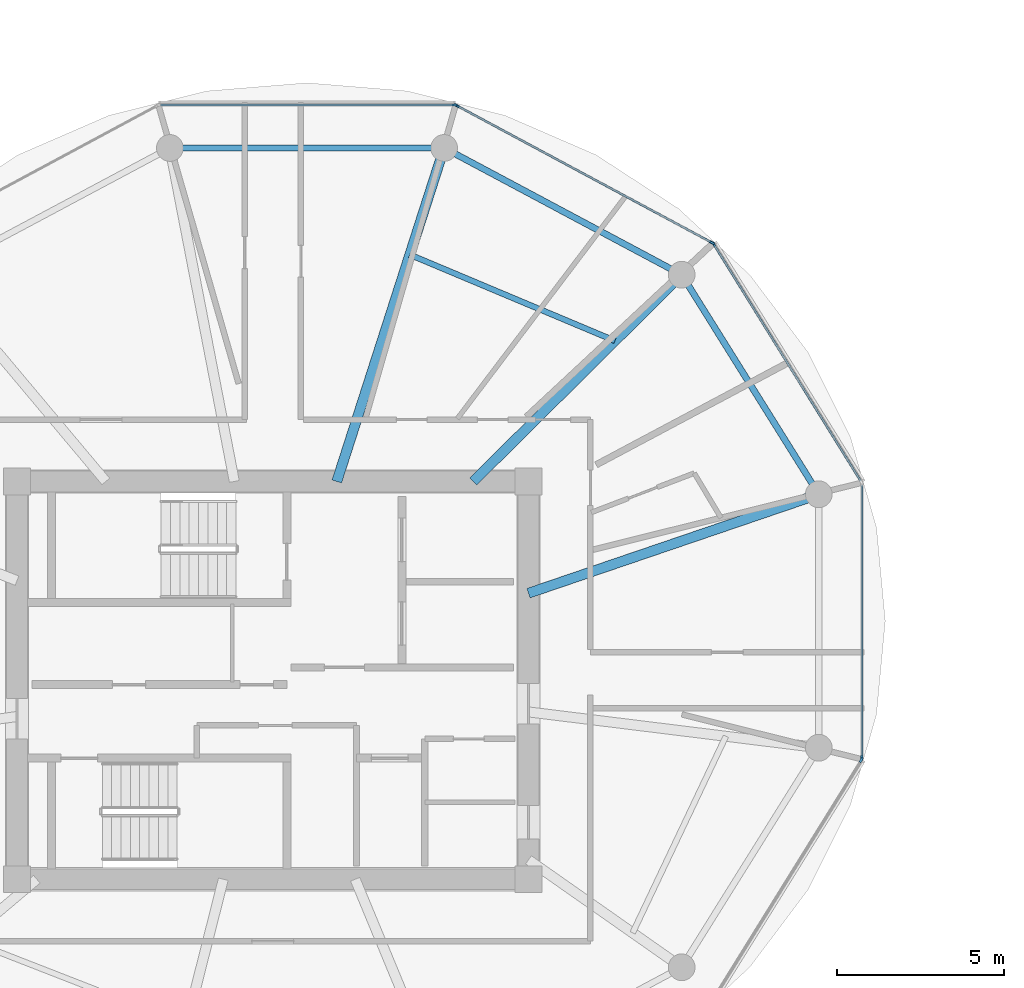
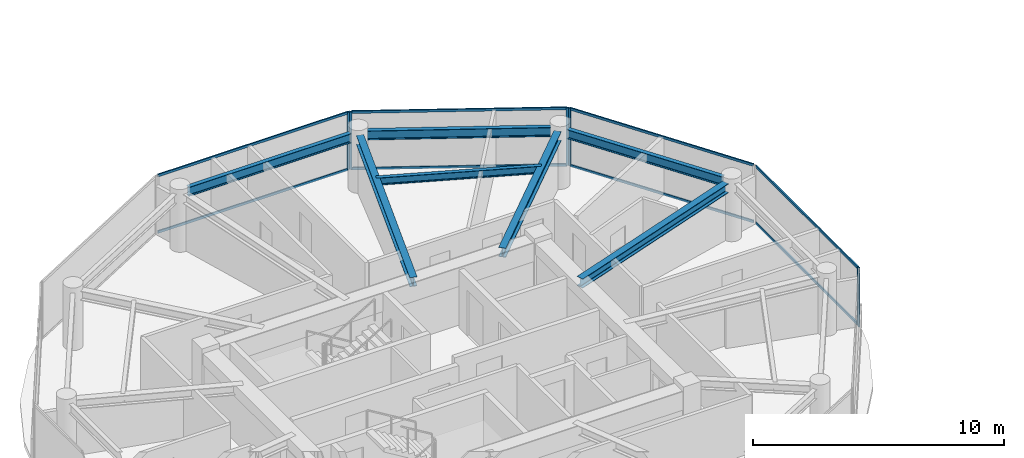
# One storey, part 5 of 22: 14 members, 7 beams, 5 elements without a shape of their own.
"""IFC4 building model written with IfcOpenShell, lengths in metres."""

from ifc_helpers import new_model, si_unit, direction, frame, origin, origin_2d, place, context, subcontext, project, spatial, rectangle, i_section, extrude, source, transform, mapped, material, layer, layer_set, material_profile, profile_set, type_object, type_shapes, element, aggregate, save


model = new_model("IFC4")

# Units and contexts
model_context = context("Model", 3, precision=1e-05, world=origin(), true_north=direction((0.0, 1.0)))
body_context = subcontext(model_context, "Body", "Model", "MODEL_VIEW")
ifc_project = project(units=[si_unit("LENGTHUNIT", "METRE"), si_unit("AREAUNIT", "SQUARE_METRE"), si_unit("VOLUMEUNIT", "CUBIC_METRE"), si_unit("PLANEANGLEUNIT", "RADIAN"), si_unit("MASSUNIT", "GRAM", prefix="KILO")], contexts=[model_context])

# Site, building, storey
site_placement = place(None, origin())
site = spatial("IfcSite", under=ifc_project, at=site_placement, CompositionType="ELEMENT")
building_placement = place(site_placement, origin())
building = spatial("IfcBuilding", under=site, at=building_placement, Name="Norrkilde Senior Care Towers", CompositionType="ELEMENT")
storey_placement = place(building_placement, frame((0.0, 0.0, 167.85009765625)))
storey = spatial("IfcBuildingStorey", under=building, at=storey_placement, Name="L52", CompositionType="ELEMENT", Elevation=167.85009765625)

# Beams
ifc_material_1 = material(Name="Steel S355", Category="steel")
ifc_material_profile_1 = material_profile(ifc_material_1, i_section(OverallWidth=0.18994140625, OverallDepth=0.449951171875, WebThickness=0.009521484375, FlangeThickness=0.0146484375, FilletRadius=0.02099609375, at=origin_2d()), Name="IPE 450")
ifc_profile_set_1 = profile_set([ifc_material_profile_1], Name="Steel S355")
beam_type_1 = type_object("IfcBeamType", Name="Perimeter Ring Spandrel Z3 IPE450", PredefinedType="SPANDREL", material=ifc_profile_set_1)
shared_shape_1 = source(origin(), body_context, "Body", "SweptSolid", [
    extrude(i_section(OverallWidth=0.18994140625, OverallDepth=0.449951171875, WebThickness=0.009521484375, FlangeThickness=0.0146484375, FilletRadius=0.02099609375, at=origin_2d()), origin(), (0.0, 0.0, 1.0), 7.0234375),
])
beam_1_placement = place(storey_placement, frame((-11.855712890625, 5.872314453125, 2.5849609375), z_axis=(-0.529789577822, 0.848129119433, 0.0), x_axis=(-0.848129119433, -0.529789577822, 0.0)))
element("IfcBeam", 1, at=beam_1_placement, inside=storey, type_object=beam_type_1, Name="L52 Drum W Perimeter Spandrel 01", PredefinedType="SPANDREL", context=body_context, shape_type="MappedRepresentation", body=[
    mapped(shared_shape_1, transform((0.0, 0.0, 0.0), x_axis=(1.0, 0.0, 0.0), y_axis=(0.0, 1.0, 0.0), z_axis=(0.0, 0.0, 1.0), scale=1.0)),
])
ifc_material_profile_2 = material_profile(ifc_material_1, i_section(OverallWidth=0.300048828125, OverallDepth=0.449951171875, WebThickness=0.013916015625, FlangeThickness=0.02587890625, FilletRadius=0.027099609375, at=origin_2d()), Name="HEB 450")
ifc_profile_set_2 = profile_set([ifc_material_profile_2], Name="Steel S355")
beam_type_2 = type_object("IfcBeamType", Name="Radial Floor Beam Z3 HEB450", PredefinedType="BEAM", material=ifc_profile_set_2)
shared_shape_2 = source(origin(), body_context, "Body", "SweptSolid", [
    extrude(i_section(OverallWidth=0.300048828125, OverallDepth=0.449951171875, WebThickness=0.013916015625, FlangeThickness=0.02587890625, FilletRadius=0.027099609375, at=origin_2d()), origin(), (0.0, 0.0, 1.0), 8.8154296875),
])
beam_2_placement = place(storey_placement, frame((-20.35009765625, 2.607177734375, 2.5849609375), z_axis=(0.946540556878, 0.322584832539, 0.0), x_axis=(-0.322584832539, 0.946540556878, 0.0)))
element("IfcBeam", 2, at=beam_2_placement, inside=storey, type_object=beam_type_2, Name="L52 Drum W Radial Floor Beam 01", PredefinedType="BEAM", context=body_context, shape_type="MappedRepresentation", body=[
    mapped(shared_shape_2, transform((0.0, 0.0, 0.0), x_axis=(1.0, 0.0, 0.0), y_axis=(0.0, 1.0, 0.0), z_axis=(0.0, 0.0, 1.0), scale=1.0)),
])
shared_shape_3 = source(origin(), body_context, "Body", "SweptSolid", [
    extrude(i_section(OverallWidth=0.18994140625, OverallDepth=0.449951171875, WebThickness=0.009521484375, FlangeThickness=0.0146484375, FilletRadius=0.02099609375, at=origin_2d()), origin(), (0.0, 0.0, 1.0), 7.333740234375),
])
beam_3_placement = place(storey_placement, frame((-16.0849609375, 12.303955078125, 2.5849609375), z_axis=(-0.882247866069, 0.470785198172, 0.0), x_axis=(-0.470785198172, -0.882247866069, 0.0)))
element("IfcBeam", 3, at=beam_3_placement, inside=storey, type_object=beam_type_1, Name="L52 Drum W Perimeter Spandrel 02", PredefinedType="SPANDREL", context=body_context, shape_type="MappedRepresentation", body=[
    mapped(shared_shape_3, transform((0.0, 0.0, 0.0), x_axis=(1.0, 0.0, 0.0), y_axis=(0.0, 1.0, 0.0), z_axis=(0.0, 0.0, 1.0), scale=1.0)),
])
shared_shape_4 = source(origin(), body_context, "Body", "SweptSolid", [
    extrude(i_section(OverallWidth=0.300048828125, OverallDepth=0.449951171875, WebThickness=0.013916015625, FlangeThickness=0.02587890625, FilletRadius=0.027099609375, at=origin_2d()), origin(), (0.0, 0.0, 1.0), 8.421630859375),
])
beam_4_placement = place(storey_placement, frame((-22.001953125, 5.949951171875, 2.5849609375), z_axis=(0.709956495972, 0.704245535184, 0.0), x_axis=(-0.704245535184, 0.709956495972, 0.0)))
element("IfcBeam", 4, at=beam_4_placement, inside=storey, type_object=beam_type_2, Name="L52 Drum W Radial Floor Beam 02", PredefinedType="BEAM", context=body_context, shape_type="MappedRepresentation", body=[
    mapped(shared_shape_4, transform((0.0, 0.0, 0.0), x_axis=(1.0, 0.0, 0.0), y_axis=(0.0, 1.0, 0.0), z_axis=(0.0, 0.0, 1.0), scale=1.0)),
])
shared_shape_5 = source(origin(), body_context, "Body", "SweptSolid", [
    extrude(i_section(OverallWidth=0.18994140625, OverallDepth=0.449951171875, WebThickness=0.009521484375, FlangeThickness=0.0146484375, FilletRadius=0.02099609375, at=origin_2d()), origin(), (0.0, 0.0, 1.0), 7.484619140625),
])
type_shapes(beam_type_1, [shared_shape_1, shared_shape_3, shared_shape_5])
beam_5_placement = place(storey_placement, frame((-23.232666015625, 15.92626953125, 2.5849609375), z_axis=(-1.0, 0.0, 0.0), x_axis=(0.0, -1.0, 0.0)))
element("IfcBeam", 5, at=beam_5_placement, inside=storey, type_object=beam_type_1, Name="L52 Drum W Perimeter Spandrel 03", PredefinedType="SPANDREL", context=body_context, shape_type="MappedRepresentation", body=[
    mapped(shared_shape_5, transform((0.0, 0.0, 0.0), x_axis=(1.0, 0.0, 0.0), y_axis=(0.0, 1.0, 0.0), z_axis=(0.0, 0.0, 1.0), scale=1.0)),
])
shared_shape_6 = source(origin(), body_context, "Body", "SweptSolid", [
    extrude(i_section(OverallWidth=0.300048828125, OverallDepth=0.449951171875, WebThickness=0.013916015625, FlangeThickness=0.02587890625, FilletRadius=0.027099609375, at=origin_2d()), origin(), (0.0, 0.0, 1.0), 10.120361328125),
])
type_shapes(beam_type_2, [shared_shape_2, shared_shape_4, shared_shape_6])
beam_6_placement = place(storey_placement, frame((-26.08447265625, 5.949951171875, 2.5849609375), z_axis=(0.306440973744, 0.951889662519, 0.0), x_axis=(-0.951889662519, 0.306440973744, 0.0)))
element("IfcBeam", 6, at=beam_6_placement, inside=storey, type_object=beam_type_2, Name="L52 Drum W Radial Floor Beam 03", PredefinedType="BEAM", context=body_context, shape_type="MappedRepresentation", body=[
    mapped(shared_shape_6, transform((0.0, 0.0, 0.0), x_axis=(1.0, 0.0, 0.0), y_axis=(0.0, 1.0, 0.0), z_axis=(0.0, 0.0, 1.0), scale=1.0)),
])
ifc_material_profile_3 = material_profile(ifc_material_1, i_section(OverallWidth=0.169921875, OverallDepth=0.360107421875, WebThickness=0.008056640625, FlangeThickness=0.0126953125, FilletRadius=0.01806640625, at=origin_2d()), Name="IPE 360")
ifc_profile_set_3 = profile_set([ifc_material_profile_3], Name="Steel S355")
beam_type_3 = type_object("IfcBeamType", Name="Secondary Floor Joist IPE360", PredefinedType="JOIST", material=ifc_profile_set_3)
shared_shape_7 = source(origin(), body_context, "Body", "SweptSolid", [
    extrude(i_section(OverallWidth=0.169921875, OverallDepth=0.360107421875, WebThickness=0.008056640625, FlangeThickness=0.0126953125, FilletRadius=0.01806640625, at=origin_2d()), origin(), (0.0, 0.0, 1.0), 6.657470703125),
])
type_shapes(beam_type_3, [shared_shape_7])
beam_7_placement = place(storey_placement, frame((-17.762451171875, 10.155517578125, 2.6298828125), z_axis=(-0.921958799252, 0.387287971, 0.0), x_axis=(-0.387287971, -0.921958799252, 0.0)))
element("IfcBeam", 7, at=beam_7_placement, inside=storey, type_object=beam_type_3, Name="L52 Drum W Secondary Floor Joist 1", PredefinedType="JOIST", context=body_context, shape_type="MappedRepresentation", body=[
    mapped(shared_shape_7, transform((0.0, 0.0, 0.0), x_axis=(1.0, 0.0, 0.0), y_axis=(0.0, 1.0, 0.0), z_axis=(0.0, 0.0, 1.0), scale=1.0)),
])

# Curtain wall, members
ifc_material_2 = material(Name="Triple Low-E Insulated Glazing", Category="glass")
ifc_layer = layer(ifc_material_2, 0.18994140625)
ifc_layer_set = layer_set([ifc_layer], Name="Triple Low-E Insulated Glazing")
curtain_wall_type = type_object("IfcCurtainWallType", Name="CW4 Zone 3 Senior Residence Curtain Wall", PredefinedType="NOTDEFINED", material=ifc_layer_set)
curtain_wall_1_placement = place(storey_placement, origin())
curtain_wall_1 = element("IfcCurtainWall", 8, at=curtain_wall_1_placement, inside=storey, type_object=curtain_wall_type, Name="L52 Drum W Curtain Wall 00", PredefinedType="NOTDEFINED")
ifc_material_3 = material(Name="Anodised Aluminium", Category="aluminium")
ifc_material_profile_4 = material_profile(ifc_material_3, rectangle(XDim=0.06005859375, YDim=0.1201171875, at=origin_2d()), Name="ALU TRAN 60x120")
ifc_profile_set_4 = profile_set([ifc_material_profile_4], Name="Anodised Aluminium")
member_type_1 = type_object("IfcMemberType", Name="Curtain Wall Transom Typical 60x120", PredefinedType="USERDEFINED", material=ifc_profile_set_4)
shared_shape_8 = source(origin(), body_context, "Body", "SweptSolid", [
    extrude(rectangle(XDim=0.06005859375, YDim=0.1201171875, at=origin_2d()), origin(), (0.0, 0.0, 1.0), 8.301513671875),
])
member_1_placement = place(storey_placement, frame((-14.792724609375, 13.019775390625, 0.02978515625), z_axis=(0.527368718394, -0.849636531029, 0.0), x_axis=(0.849636531029, 0.527368718394, 0.0)))
member_1 = element("IfcMember", 9, at=member_1_placement, type_object=member_type_1, Name="CW-4 transom 1.1", ObjectType="TRANSOM", PredefinedType="USERDEFINED", context=body_context, shape_type="MappedRepresentation", body=[
    mapped(shared_shape_8, transform((0.0, 0.0, 0.0), x_axis=(1.0, 0.0, 0.0), y_axis=(0.0, 1.0, 0.0), z_axis=(0.0, 0.0, 1.0), scale=1.0)),
])
member_2_placement = place(storey_placement, frame((-14.792724609375, 13.019775390625, 2.77978515625), z_axis=(0.527368718394, -0.849636531029, 0.0), x_axis=(0.849636531029, 0.527368718394, 0.0)))
member_2 = element("IfcMember", 10, at=member_2_placement, type_object=member_type_1, Name="CW-4 transom 1.2", ObjectType="TRANSOM", PredefinedType="USERDEFINED", context=body_context, shape_type="MappedRepresentation", body=[
    mapped(shared_shape_8, transform((0.0, 0.0, 0.0), x_axis=(1.0, 0.0, 0.0), y_axis=(0.0, 1.0, 0.0), z_axis=(0.0, 0.0, 1.0), scale=1.0)),
])

curtain_wall_2_placement = place(storey_placement, origin())
curtain_wall_2 = element("IfcCurtainWall", 11, at=curtain_wall_2_placement, inside=storey, type_object=curtain_wall_type, Name="L52 Drum W Curtain Wall 01", PredefinedType="NOTDEFINED")
shared_shape_9 = source(origin(), body_context, "Body", "SweptSolid", [
    extrude(rectangle(XDim=0.06005859375, YDim=0.1201171875, at=origin_2d()), origin(), (0.0, 0.0, 1.0), 8.61181640625),
])
member_3_placement = place(storey_placement, frame((-22.47119140625, 17.18017578125, 0.02978515625), z_axis=(0.880993991641, -0.473127452906, 0.0), x_axis=(0.473127452906, 0.880993991641, 0.0)))
member_3 = element("IfcMember", 12, at=member_3_placement, type_object=member_type_1, Name="CW-4 transom 1.1", ObjectType="TRANSOM", PredefinedType="USERDEFINED", context=body_context, shape_type="MappedRepresentation", body=[
    mapped(shared_shape_9, transform((0.0, 0.0, 0.0), x_axis=(1.0, 0.0, 0.0), y_axis=(0.0, 1.0, 0.0), z_axis=(0.0, 0.0, 1.0), scale=1.0)),
])
member_4_placement = place(storey_placement, frame((-22.47119140625, 17.18017578125, 2.77978515625), z_axis=(0.880993991641, -0.473127452906, 0.0), x_axis=(0.473127452906, 0.880993991641, 0.0)))
member_4 = element("IfcMember", 13, at=member_4_placement, type_object=member_type_1, Name="CW-4 transom 1.2", ObjectType="TRANSOM", PredefinedType="USERDEFINED", context=body_context, shape_type="MappedRepresentation", body=[
    mapped(shared_shape_9, transform((0.0, 0.0, 0.0), x_axis=(1.0, 0.0, 0.0), y_axis=(0.0, 1.0, 0.0), z_axis=(0.0, 0.0, 1.0), scale=1.0)),
])

curtain_wall_3_placement = place(storey_placement, origin())
curtain_wall_3 = element("IfcCurtainWall", 14, at=curtain_wall_3_placement, inside=storey, type_object=curtain_wall_type, Name="L52 Drum W Curtain Wall 02", PredefinedType="NOTDEFINED")
shared_shape_10 = source(origin(), body_context, "Body", "SweptSolid", [
    extrude(rectangle(XDim=0.06005859375, YDim=0.1201171875, at=origin_2d()), origin(), (0.0, 0.0, 1.0), 8.762939453125),
])
member_5_placement = place(storey_placement, frame((-31.3564453125, 17.2109375, 0.02978515625), z_axis=(1.0, 0.0, 0.0), x_axis=(0.0, 1.0, 0.0)))
member_5 = element("IfcMember", 15, at=member_5_placement, type_object=member_type_1, Name="CW-4 transom 1.1", ObjectType="TRANSOM", PredefinedType="USERDEFINED", context=body_context, shape_type="MappedRepresentation", body=[
    mapped(shared_shape_10, transform((0.0, 0.0, 0.0), x_axis=(1.0, 0.0, 0.0), y_axis=(0.0, 1.0, 0.0), z_axis=(0.0, 0.0, 1.0), scale=1.0)),
])
member_6_placement = place(storey_placement, frame((-31.3564453125, 17.2109375, 2.77978515625), z_axis=(1.0, 0.0, 0.0), x_axis=(0.0, 1.0, 0.0)))
member_6 = element("IfcMember", 16, at=member_6_placement, type_object=member_type_1, Name="CW-4 transom 1.2", ObjectType="TRANSOM", PredefinedType="USERDEFINED", context=body_context, shape_type="MappedRepresentation", body=[
    mapped(shared_shape_10, transform((0.0, 0.0, 0.0), x_axis=(1.0, 0.0, 0.0), y_axis=(0.0, 1.0, 0.0), z_axis=(0.0, 0.0, 1.0), scale=1.0)),
])

curtain_wall_4_placement = place(storey_placement, origin())
curtain_wall_4 = element("IfcCurtainWall", 17, at=curtain_wall_4_placement, inside=storey, type_object=curtain_wall_type, Name="L52 Drum W Curtain Wall 11", PredefinedType="NOTDEFINED")
shared_shape_11 = source(origin(), body_context, "Body", "SweptSolid", [
    extrude(rectangle(XDim=0.06005859375, YDim=0.1201171875, at=origin_2d()), origin(), (0.0, 0.0, 1.0), 8.141845703125),
])
type_shapes(member_type_1, [shared_shape_8, shared_shape_9, shared_shape_10, shared_shape_11])
member_7_placement = place(storey_placement, frame((-10.38037109375, 5.84619140625, 0.02978515625), z_axis=(0.0, -1.0, 0.0), x_axis=(1.0, 0.0, 0.0)))
member_7 = element("IfcMember", 18, at=member_7_placement, type_object=member_type_1, Name="CW-4 transom 1.1", ObjectType="TRANSOM", PredefinedType="USERDEFINED", context=body_context, shape_type="MappedRepresentation", body=[
    mapped(shared_shape_11, transform((0.0, 0.0, 0.0), x_axis=(1.0, 0.0, 0.0), y_axis=(0.0, 1.0, 0.0), z_axis=(0.0, 0.0, 1.0), scale=1.0)),
])
member_8_placement = place(storey_placement, frame((-10.38037109375, 5.84619140625, 2.77978515625), z_axis=(0.0, -1.0, 0.0), x_axis=(1.0, 0.0, 0.0)))
member_8 = element("IfcMember", 19, at=member_8_placement, type_object=member_type_1, Name="CW-4 transom 1.2", ObjectType="TRANSOM", PredefinedType="USERDEFINED", context=body_context, shape_type="MappedRepresentation", body=[
    mapped(shared_shape_11, transform((0.0, 0.0, 0.0), x_axis=(1.0, 0.0, 0.0), y_axis=(0.0, 1.0, 0.0), z_axis=(0.0, 0.0, 1.0), scale=1.0)),
])

# Member
ifc_material_profile_5 = material_profile(ifc_material_3, rectangle(XDim=0.06494140625, YDim=0.14990234375, at=origin_2d()), Name="ALU MULL 65x150")
ifc_profile_set_5 = profile_set([ifc_material_profile_5], Name="Anodised Aluminium")
member_type_2 = type_object("IfcMemberType", Name="Curtain Wall Mullion Z3-Z4 65x150", PredefinedType="MULLION", material=ifc_profile_set_5)
shared_shape_12 = source(origin(), body_context, "Body", "SweptSolid", [
    extrude(rectangle(XDim=0.06494140625, YDim=0.14990234375, at=origin_2d()), origin(), (0.0, 0.0, 1.0), 2.809814453125),
])
type_shapes(member_type_2, [shared_shape_12])
member_9_placement = place(storey_placement, frame((-14.809814453125, 13.04736328125, 0.0), z_axis=(0.0, 0.0, 1.0), x_axis=(0.84963405474, 0.52737270789, 0.0)))
member_9 = element("IfcMember", 20, at=member_9_placement, type_object=member_type_2, Name="CW-4 mullion 1", PredefinedType="MULLION", context=body_context, shape_type="MappedRepresentation", body=[
    mapped(shared_shape_12, transform((0.0, 0.0, 0.0), x_axis=(1.0, 0.0, 0.0), y_axis=(0.0, 1.0, 0.0), z_axis=(0.0, 0.0, 1.0), scale=1.0)),
])

aggregate(curtain_wall_1, [member_9, member_1, member_2])

member_10_placement = place(storey_placement, frame((-22.499755859375, 17.195556640625, 0.0), z_axis=(0.0, 0.0, 1.0), x_axis=(0.47311715104, 0.880999524059, 0.0)))
member_10 = element("IfcMember", 21, at=member_10_placement, type_object=member_type_2, Name="CW-4 mullion 1", PredefinedType="MULLION", context=body_context, shape_type="MappedRepresentation", body=[
    mapped(shared_shape_12, transform((0.0, 0.0, 0.0), x_axis=(1.0, 0.0, 0.0), y_axis=(0.0, 1.0, 0.0), z_axis=(0.0, 0.0, 1.0), scale=1.0)),
])

member_11_placement = place(storey_placement, frame((-14.85546875, 13.09033203125, 0.0), z_axis=(0.0, 0.0, 1.0), x_axis=(0.47311715104, 0.880999524059, 0.0)))
member_11 = element("IfcMember", 22, at=member_11_placement, type_object=member_type_2, Name="CW-4 mullion 2", PredefinedType="MULLION", context=body_context, shape_type="MappedRepresentation", body=[
    mapped(shared_shape_12, transform((0.0, 0.0, 0.0), x_axis=(1.0, 0.0, 0.0), y_axis=(0.0, 1.0, 0.0), z_axis=(0.0, 0.0, 1.0), scale=1.0)),
])

aggregate(curtain_wall_2, [member_10, member_11, member_3, member_4])

member_12_placement = place(storey_placement, frame((-22.56103515625, 17.2109375, 0.0), z_axis=(0.0, 0.0, 1.0), x_axis=(0.0, 1.0, 0.0)))
member_12 = element("IfcMember", 23, at=member_12_placement, type_object=member_type_2, Name="CW-4 mullion 2", PredefinedType="MULLION", context=body_context, shape_type="MappedRepresentation", body=[
    mapped(shared_shape_12, transform((0.0, 0.0, 0.0), x_axis=(1.0, 0.0, 0.0), y_axis=(0.0, 1.0, 0.0), z_axis=(0.0, 0.0, 1.0), scale=1.0)),
])

aggregate(curtain_wall_3, [member_12, member_5, member_6])

# Curtain wall, member
curtain_wall_5_placement = place(storey_placement, origin())
curtain_wall_5 = element("IfcCurtainWall", 24, at=curtain_wall_5_placement, inside=storey, type_object=curtain_wall_type, Name="L52 Drum W Curtain Wall 10", PredefinedType="NOTDEFINED")
member_13_placement = place(storey_placement, frame((-10.3974609375, -2.38818359375, 0.0), z_axis=(0.0, 0.0, 1.0), x_axis=(0.84963405474, -0.52737270789, 0.0)))
member_13 = element("IfcMember", 25, at=member_13_placement, type_object=member_type_2, Name="CW-4 mullion 1", PredefinedType="MULLION", context=body_context, shape_type="MappedRepresentation", body=[
    mapped(shared_shape_12, transform((0.0, 0.0, 0.0), x_axis=(1.0, 0.0, 0.0), y_axis=(0.0, 1.0, 0.0), z_axis=(0.0, 0.0, 1.0), scale=1.0)),
])
aggregate(curtain_wall_5, [member_13])

# Member
member_14_placement = place(storey_placement, frame((-10.38037109375, -2.328125, 0.0), z_axis=(0.0, 0.0, 1.0), x_axis=(1.0, 0.0, 0.0)))
member_14 = element("IfcMember", 26, at=member_14_placement, type_object=member_type_2, Name="CW-4 mullion 2", PredefinedType="MULLION", context=body_context, shape_type="MappedRepresentation", body=[
    mapped(shared_shape_12, transform((0.0, 0.0, 0.0), x_axis=(1.0, 0.0, 0.0), y_axis=(0.0, 1.0, 0.0), z_axis=(0.0, 0.0, 1.0), scale=1.0)),
])

aggregate(curtain_wall_4, [member_14, member_7, member_8])

save(model, "model.ifc")
